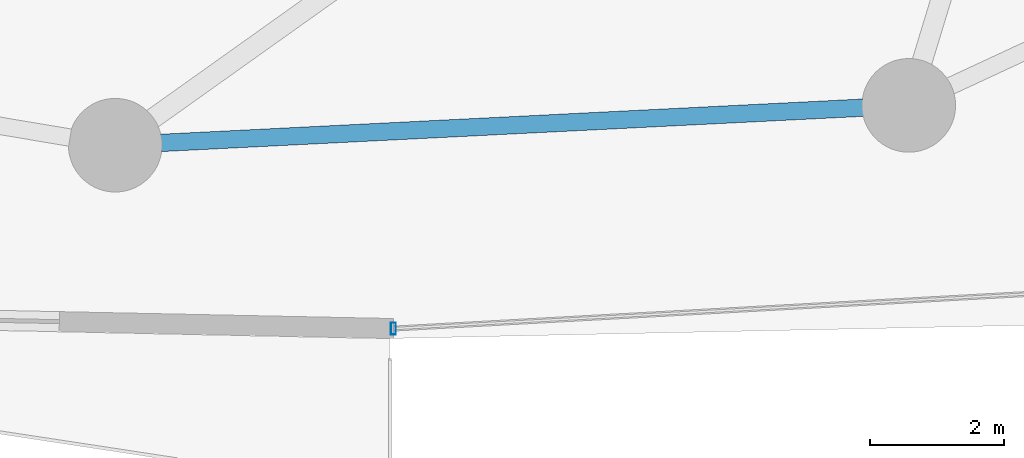
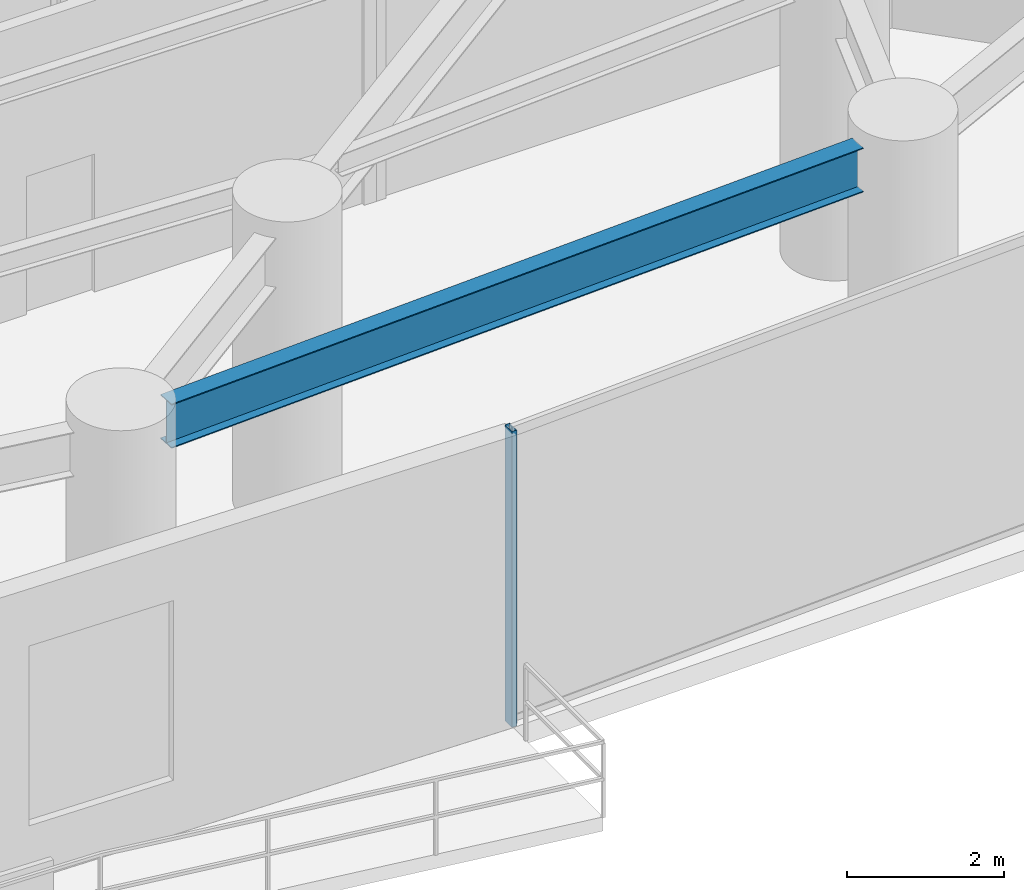
# One storey, part 9 of 32: 1 beam, 1 member, 1 element without a shape of its own.
"""IFC4 building model written with IfcOpenShell, lengths in metres."""

from ifc_helpers import new_model, si_unit, direction, frame, origin, origin_2d, place, context, subcontext, project, spatial, hollow_rectangle, i_section, extrude, material, material_profile, profile_set, type_object, element, aggregate, save


model = new_model("IFC4")

# Units and contexts
model_context = context("Model", 3, precision=1e-05, world=origin(), true_north=direction((0.0, 1.0)))
body_context = subcontext(model_context, "Body", "Model", "MODEL_VIEW")
ifc_project = project(units=[si_unit("LENGTHUNIT", "METRE"), si_unit("AREAUNIT", "SQUARE_METRE"), si_unit("VOLUMEUNIT", "CUBIC_METRE"), si_unit("PLANEANGLEUNIT", "RADIAN"), si_unit("MASSUNIT", "GRAM", prefix="KILO")], contexts=[model_context])

# Site, building, storey
site_placement = place(None, origin())
site = spatial("IfcSite", under=ifc_project, at=site_placement, CompositionType="ELEMENT")
building_placement = place(site_placement, origin())
building = spatial("IfcBuilding", under=site, at=building_placement, Name="Vorneva Point Tower", CompositionType="ELEMENT")
storey_placement = place(building_placement, frame((0.0, 0.0, 19.199951171875)))
storey = spatial("IfcBuildingStorey", under=building, at=storey_placement, Name="L04", CompositionType="ELEMENT", Elevation=19.199951171875)

# Beam
ifc_material_1 = material(Name="Steel S355", Category="steel")
ifc_material_profile_1 = material_profile(ifc_material_1, i_section(OverallWidth=0.260009765625, OverallDepth=0.69091796875, WebThickness=0.011962890625, FlangeThickness=0.015380859375, at=origin_2d()), Name="70B1")
ifc_profile_set_1 = profile_set([ifc_material_profile_1], Name="Steel S355")
beam_type = type_object("IfcBeamType", Name="BM-SPN-70B1", PredefinedType="SPANDREL", material=ifc_profile_set_1)
beam_placement = place(storey_placement, frame((34.5244140625, 5.874267578125, 4.194580078125), z_axis=(0.998743400092, 0.050116073, 0.0), x_axis=(-0.050116073, 0.998743400092, 0.0)))
element("IfcBeam", 1, at=beam_placement, inside=storey, type_object=beam_type, Name="L04 Perimeter Spandrel Ring Beam 13", PredefinedType="SPANDREL", context=body_context, shape_type="SweptSolid", body=[
    extrude(i_section(OverallWidth=0.260009765625, OverallDepth=0.69091796875, WebThickness=0.011962890625, FlangeThickness=0.015380859375, at=origin_2d()), origin(), (0.0, 0.0, 1.0), 10.5078125),
])

# Curtain wall, member
ifc_material_2 = material(Name="Pale anodised aluminium", Category="aluminium")
curtain_wall_type = type_object("IfcCurtainWallType", Name="CW-POD-SYS", PredefinedType="NOTDEFINED", material=ifc_material_2)
curtain_wall_placement = place(storey_placement, origin())
curtain_wall = element("IfcCurtainWall", 2, at=curtain_wall_placement, inside=storey, type_object=curtain_wall_type, Name="L04 Unitised Curtain Wall CW-L04-R04", PredefinedType="NOTDEFINED")
ifc_material_profile_2 = material_profile(ifc_material_2, hollow_rectangle(XDim=0.074951171875, YDim=0.179931640625, WallThickness=0.00390625, at=origin_2d()), Name="AL-MUL 180x75x4")
ifc_profile_set_2 = profile_set([ifc_material_profile_2], Name="Pale anodised aluminium")
member_type = type_object("IfcMemberType", Name="CW-MUL-180", PredefinedType="MULLION", material=ifc_profile_set_2)
member_placement = place(storey_placement, frame((38.0, 3.0986328125, -0.0400390625), z_axis=(0.0, 0.0, 1.0), x_axis=(1.0, 0.0, 0.0)))
member = element("IfcMember", 3, at=member_placement, type_object=member_type, Name="CW-L04-R04 Mullion 01", PredefinedType="MULLION", context=body_context, shape_type="SweptSolid", body=[
    extrude(hollow_rectangle(XDim=0.074951171875, YDim=0.179931640625, WallThickness=0.00390625, at=origin_2d()), origin(), (0.0, 0.0, 1.0), 4.610107421875),
])
aggregate(curtain_wall, [member])

save(model, "model.ifc")
